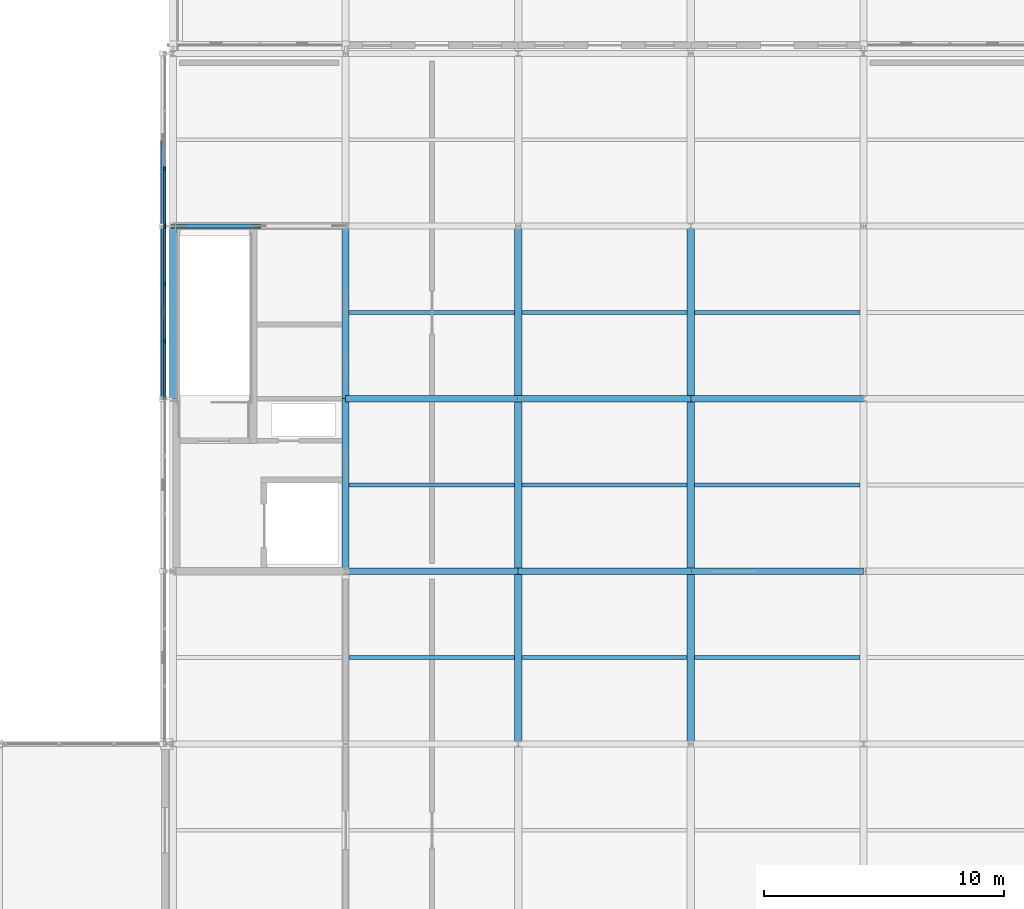
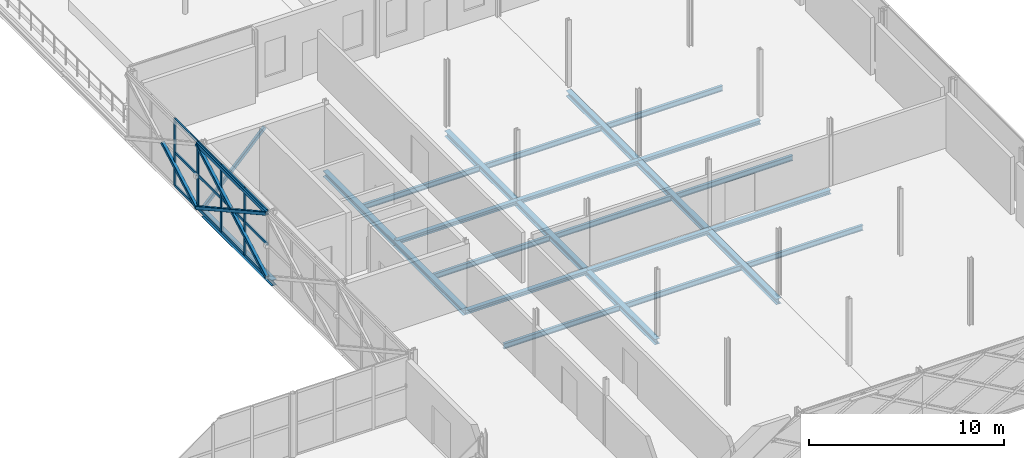
# One storey, part 61 of 126: 24 beams, 23 members, 2 elements without a shape of their own.
"""IFC4 building model written with IfcOpenShell, lengths in metres."""

from ifc_helpers import new_model, si_unit, direction, frame, origin, origin_2d, place, context, subcontext, project, spatial, rectangle, hollow_rectangle, i_section, extrude, material, material_profile, profile_set, type_object, element, aggregate, save


model = new_model("IFC4")

# Units and contexts
model_context = context("Model", 3, precision=1e-05, world=origin(), true_north=direction((0.0, 1.0)))
body_context = subcontext(model_context, "Body", "Model", "MODEL_VIEW")
ifc_project = project(units=[si_unit("LENGTHUNIT", "METRE"), si_unit("AREAUNIT", "SQUARE_METRE"), si_unit("VOLUMEUNIT", "CUBIC_METRE"), si_unit("PLANEANGLEUNIT", "RADIAN"), si_unit("MASSUNIT", "GRAM", prefix="KILO")], contexts=[model_context])

# Site, building, storey
site_placement = place(None, origin())
site = spatial("IfcSite", under=ifc_project, at=site_placement, CompositionType="ELEMENT")
building_placement = place(site_placement, origin())
building = spatial("IfcBuilding", under=site, at=building_placement, Name="Zlatovets Crest Museum", CompositionType="ELEMENT")
storey_placement = place(building_placement, frame((0.0, 0.0, 8.699951171875)))
storey = spatial("IfcBuildingStorey", under=building, at=storey_placement, Name="L02", CompositionType="ELEMENT", Elevation=8.699951171875)

# Beams
ifc_material_1 = material(Name="Structural steel S355J2", Category="steel")
ifc_material_profile_1 = material_profile(ifc_material_1, i_section(OverallWidth=0.300048828125, OverallDepth=0.35009765625, WebThickness=0.010009765625, FlangeThickness=0.017578125, FilletRadius=0.027099609375, at=origin_2d()), Name="HEA 360")
ifc_profile_set_1 = profile_set([ifc_material_profile_1], Name="Structural steel S355J2")
beam_type_1 = type_object("IfcBeamType", Name="Beam_B-03", PredefinedType="BEAM", material=ifc_profile_set_1)
for number, where, z_axis, x_axis, name in (
    (1, (129.60009765625, 43.199951171875, -0.39501953125), (0.0, 1.0, 0.0), (-1.0, 0.0, 0.0), "V5 L02 Grid Beam B-03"),
    (2, (136.800048828125, 36.0, -0.39501953125), (0.0, 1.0, 0.0), (-1.0, 0.0, 0.0), "V5 L02 Grid Beam B-03"),
    (3, (136.800048828125, 43.199951171875, -0.39501953125), (0.0, 1.0, 0.0), (-1.0, 0.0, 0.0), "V5 L02 Grid Beam B-03"),
    (4, (144.0, 28.800048828125, -0.39501953125), (0.0, 1.0, 0.0), (-1.0, 0.0, 0.0), "V5 L02 Grid Beam B-03"),
    (5, (144.0, 36.0, -0.39501953125), (0.0, 1.0, 0.0), (-1.0, 0.0, 0.0), "V5 L02 Grid Beam B-03"),
    (6, (144.0, 43.199951171875, -0.39501953125), (0.0, 1.0, 0.0), (-1.0, 0.0, 0.0), "V5 L02 Grid Beam B-03"),
    (7, (151.199951171875, 28.800048828125, -0.39501953125), (0.0, 1.0, 0.0), (-1.0, 0.0, 0.0), "V5 L02 Grid Beam B-03"),
    (8, (151.199951171875, 36.0, -0.39501953125), (0.0, 1.0, 0.0), (-1.0, 0.0, 0.0), "V5 L02 Grid Beam B-03"),
    (9, (151.199951171875, 43.199951171875, -0.39501953125), (0.0, 1.0, 0.0), (-1.0, 0.0, 0.0), "V5 L02 Grid Beam B-03"),
):
    element("IfcBeam", number, at=place(storey_placement, frame(where, z_axis=z_axis, x_axis=x_axis)), inside=storey, type_object=beam_type_1, Name=name, PredefinedType="BEAM", context=body_context, shape_type="SweptSolid", body=[
        extrude(i_section(OverallWidth=0.300048828125, OverallDepth=0.35009765625, WebThickness=0.010009765625, FlangeThickness=0.017578125, FilletRadius=0.027099609375, at=origin_2d()), origin(), (0.0, 0.0, 1.0), 7.199951171875),
    ])
ifc_material_profile_2 = material_profile(ifc_material_1, i_section(OverallWidth=0.260009765625, OverallDepth=0.25, WebThickness=0.007568359375, FlangeThickness=0.012451171875, FilletRadius=0.02392578125, at=origin_2d()), Name="HEA 260")
ifc_profile_set_2 = profile_set([ifc_material_profile_2], Name="Structural steel S355J2")
beam_type_2 = type_object("IfcBeamType", Name="Beam_B-13", PredefinedType="BEAM", material=ifc_profile_set_2)
for number, where, z_axis, x_axis, name in (
    (10, (136.800048828125, 36.0, -0.344970703125), (1.0, 0.0, 0.0), (0.0, 1.0, 0.0), "V5 L02 Primary Girder B-13"),
    (11, (144.0, 36.0, -0.344970703125), (1.0, 0.0, 0.0), (0.0, 1.0, 0.0), "V5 L02 Primary Girder B-13"),
    (12, (151.199951171875, 36.0, -0.344970703125), (1.0, 0.0, 0.0), (0.0, 1.0, 0.0), "V5 L02 Primary Girder B-13"),
    (13, (136.800048828125, 43.199951171875, -0.344970703125), (1.0, 0.0, 0.0), (0.0, 1.0, 0.0), "V5 L02 Primary Girder B-13"),
    (14, (144.0, 43.199951171875, -0.344970703125), (1.0, 0.0, 0.0), (0.0, 1.0, 0.0), "V5 L02 Primary Girder B-13"),
    (15, (151.199951171875, 43.199951171875, -0.344970703125), (1.0, 0.0, 0.0), (0.0, 1.0, 0.0), "V5 L02 Primary Girder B-13"),
):
    element("IfcBeam", number, at=place(storey_placement, frame(where, z_axis=z_axis, x_axis=x_axis)), inside=storey, type_object=beam_type_2, Name=name, PredefinedType="BEAM", context=body_context, shape_type="SweptSolid", body=[
        extrude(i_section(OverallWidth=0.260009765625, OverallDepth=0.25, WebThickness=0.007568359375, FlangeThickness=0.012451171875, FilletRadius=0.02392578125, at=origin_2d()), origin(), (0.0, 0.0, 1.0), 7.199951171875),
    ])
ifc_material_profile_3 = material_profile(ifc_material_1, i_section(OverallWidth=0.159912109375, OverallDepth=0.330078125, WebThickness=0.007568359375, FlangeThickness=0.011474609375, FilletRadius=0.01806640625, at=origin_2d()), Name="IPE 330")
ifc_profile_set_3 = profile_set([ifc_material_profile_3], Name="Structural steel S355J2")
beam_type_3 = type_object("IfcBeamType", Name="Beam_J-09", PredefinedType="JOIST", material=ifc_profile_set_3)
for number, where, z_axis, x_axis, name in (
    (16, (136.949951171875, 32.39990234375, -0.385009765625), (1.0, 0.0, 0.0), (0.0, 1.0, 0.0), "V5 L02 Composite Joist J-09"),
    (17, (136.949951171875, 39.60009765625, -0.385009765625), (1.0, 0.0, 0.0), (0.0, 1.0, 0.0), "V5 L02 Composite Joist J-09"),
    (18, (136.949951171875, 46.800048828125, -0.385009765625), (1.0, 0.0, 0.0), (0.0, 1.0, 0.0), "V5 L02 Composite Joist J-09"),
    (19, (144.14990234375, 32.39990234375, -0.385009765625), (1.0, 0.0, 0.0), (0.0, 1.0, 0.0), "V5 L02 Composite Joist J-09"),
    (20, (144.14990234375, 39.60009765625, -0.385009765625), (1.0, 0.0, 0.0), (0.0, 1.0, 0.0), "V5 L02 Composite Joist J-09"),
    (21, (144.14990234375, 46.800048828125, -0.385009765625), (1.0, 0.0, 0.0), (0.0, 1.0, 0.0), "V5 L02 Composite Joist J-09"),
):
    element("IfcBeam", number, at=place(storey_placement, frame(where, z_axis=z_axis, x_axis=x_axis)), inside=storey, type_object=beam_type_3, Name=name, PredefinedType="JOIST", context=body_context, shape_type="SweptSolid", body=[
        extrude(i_section(OverallWidth=0.159912109375, OverallDepth=0.330078125, WebThickness=0.007568359375, FlangeThickness=0.011474609375, FilletRadius=0.01806640625, at=origin_2d()), origin(), (0.0, 0.0, 1.0), 6.900146484375),
    ])
for number, where, z_axis, x_axis, name in (
    (22, (151.35009765625, 32.39990234375, -0.385009765625), (1.0, 0.0, 0.0), (0.0, 1.0, 0.0), "V5 L02 Composite Joist J-09"),
    (23, (151.35009765625, 39.60009765625, -0.385009765625), (1.0, 0.0, 0.0), (0.0, 1.0, 0.0), "V5 L02 Composite Joist J-09"),
    (24, (151.35009765625, 46.800048828125, -0.385009765625), (1.0, 0.0, 0.0), (0.0, 1.0, 0.0), "V5 L02 Composite Joist J-09"),
):
    element("IfcBeam", number, at=place(storey_placement, frame(where, z_axis=z_axis, x_axis=x_axis)), inside=storey, type_object=beam_type_3, Name=name, PredefinedType="JOIST", context=body_context, shape_type="SweptSolid", body=[
        extrude(i_section(OverallWidth=0.159912109375, OverallDepth=0.330078125, WebThickness=0.007568359375, FlangeThickness=0.011474609375, FilletRadius=0.01806640625, at=origin_2d()), origin(), (0.0, 0.0, 1.0), 6.89990234375),
    ])

# Curtain wall, members
ifc_material_2 = material(Name="Bronze-anodised aluminium and low-E triple glass", Category="aluminium")
curtain_wall_type_1 = type_object("IfcCurtainWallType", Name="CW_CW-V5-L02-M0", PredefinedType="NOTDEFINED", material=ifc_material_2)
curtain_wall_1_placement = place(storey_placement, origin())
curtain_wall_1 = element("IfcCurtainWall", 25, at=curtain_wall_1_placement, inside=storey, type_object=curtain_wall_type_1, Name="V5 L02 Secession Foyer Clear Curtain Wall", PredefinedType="NOTDEFINED")
ifc_material_3 = material(Name="Bronze-anodised aluminium EN AW-6060", Category="aluminium")
ifc_material_profile_4 = material_profile(ifc_material_3, rectangle(XDim=0.080078125, YDim=0.159912109375, at=origin_2d()), Name="ALU 80x160")
ifc_profile_set_4 = profile_set([ifc_material_profile_4], Name="Bronze-anodised aluminium EN AW-6060")
member_type_1 = type_object("IfcMemberType", Name="CWMull_M1", PredefinedType="MULLION", material=ifc_profile_set_4)
member_1_placement = place(storey_placement, frame((129.260009765625, 52.800048828125, 0.0), z_axis=(0.0, 0.0, 1.0), x_axis=(1.0, 0.0, 0.0)))
member_1 = element("IfcMember", 26, at=member_1_placement, type_object=member_type_1, Name="CW-V5-L02-M0 mullion 3", PredefinedType="MULLION", context=body_context, shape_type="SweptSolid", body=[
    extrude(rectangle(XDim=0.080078125, YDim=0.159912109375, at=origin_2d()), origin(), (0.0, 0.0, 1.0), 4.199951171875),
])
member_2_placement = place(storey_placement, frame((129.260009765625, 50.429931640625, 0.0), z_axis=(0.0, 0.0, 1.0), x_axis=(1.0, 0.0, 0.0)))
member_2 = element("IfcMember", 27, at=member_2_placement, type_object=member_type_1, Name="CW-V5-L02-M0 mullion 4", PredefinedType="MULLION", context=body_context, shape_type="SweptSolid", body=[
    extrude(rectangle(XDim=0.080078125, YDim=0.159912109375, at=origin_2d()), origin(), (0.0, 0.0, 1.0), 4.199951171875),
])

curtain_wall_type_2 = type_object("IfcCurtainWallType", Name="CW_CW-V5-L02-M1", PredefinedType="NOTDEFINED", material=ifc_material_2)
curtain_wall_2_placement = place(storey_placement, origin())
curtain_wall_2 = element("IfcCurtainWall", 28, at=curtain_wall_2_placement, inside=storey, type_object=curtain_wall_type_2, Name="V5 L02 Expressed Core Glazed Facade", PredefinedType="NOTDEFINED")
member_3_placement = place(storey_placement, frame((129.260009765625, 50.3701171875, 0.0), z_axis=(0.0, 0.0, 1.0), x_axis=(1.0, 0.0, 0.0)))
member_3 = element("IfcMember", 29, at=member_3_placement, type_object=member_type_1, Name="CW-V5-L02-M1 mullion 1", PredefinedType="MULLION", context=body_context, shape_type="SweptSolid", body=[
    extrude(rectangle(XDim=0.080078125, YDim=0.159912109375, at=origin_2d()), origin(), (0.0, 0.0, 1.0), 4.199951171875),
])
member_4_placement = place(storey_placement, frame((129.260009765625, 48.0, 0.0), z_axis=(0.0, 0.0, 1.0), x_axis=(1.0, 0.0, 0.0)))
member_4 = element("IfcMember", 30, at=member_4_placement, type_object=member_type_1, Name="CW-V5-L02-M1 mullion 2", PredefinedType="MULLION", context=body_context, shape_type="SweptSolid", body=[
    extrude(rectangle(XDim=0.080078125, YDim=0.159912109375, at=origin_2d()), origin(), (0.0, 0.0, 1.0), 4.199951171875),
])
member_5_placement = place(storey_placement, frame((129.260009765625, 45.60009765625, 0.0), z_axis=(0.0, 0.0, 1.0), x_axis=(1.0, 0.0, 0.0)))
member_5 = element("IfcMember", 31, at=member_5_placement, type_object=member_type_1, Name="CW-V5-L02-M1 mullion 3", PredefinedType="MULLION", context=body_context, shape_type="SweptSolid", body=[
    extrude(rectangle(XDim=0.080078125, YDim=0.159912109375, at=origin_2d()), origin(), (0.0, 0.0, 1.0), 4.199951171875),
])

# Member
ifc_material_profile_5 = material_profile(ifc_material_3, rectangle(XDim=0.080078125, YDim=0.159912109375, at=origin_2d()), Name="ALU 80x160")
ifc_profile_set_5 = profile_set([ifc_material_profile_5], Name="Bronze-anodised aluminium EN AW-6060")
member_type_2 = type_object("IfcMemberType", Name="CWTrans_T1", PredefinedType="USERDEFINED", material=ifc_profile_set_5)
member_6_placement = place(storey_placement, frame((129.260009765625, 52.77001953125, 0.030029296875), z_axis=(0.0, -1.0, 0.0), x_axis=(1.0, 0.0, 0.0)))
member_6 = element("IfcMember", 32, at=member_6_placement, type_object=member_type_2, Name="CW-V5-L02-M0 transom 3.1", ObjectType="TRANSOM", PredefinedType="USERDEFINED", context=body_context, shape_type="SweptSolid", body=[
    extrude(rectangle(XDim=0.080078125, YDim=0.159912109375, at=origin_2d()), origin(), (0.0, 0.0, 1.0), 2.31005859375),
])

member_7_placement = place(storey_placement, frame((129.260009765625, 52.77001953125, 2.10009765625), z_axis=(0.0, -1.0, 0.0), x_axis=(1.0, 0.0, 0.0)))
member_7 = element("IfcMember", 33, at=member_7_placement, type_object=member_type_2, Name="CW-V5-L02-M0 transom 3.2", ObjectType="TRANSOM", PredefinedType="USERDEFINED", context=body_context, shape_type="SweptSolid", body=[
    extrude(rectangle(XDim=0.080078125, YDim=0.159912109375, at=origin_2d()), origin(), (0.0, 0.0, 1.0), 2.31005859375),
])

member_8_placement = place(storey_placement, frame((129.260009765625, 52.77001953125, 4.170166015625), z_axis=(0.0, -1.0, 0.0), x_axis=(1.0, 0.0, 0.0)))
member_8 = element("IfcMember", 34, at=member_8_placement, type_object=member_type_2, Name="CW-V5-L02-M0 transom 3.3", ObjectType="TRANSOM", PredefinedType="USERDEFINED", context=body_context, shape_type="SweptSolid", body=[
    extrude(rectangle(XDim=0.080078125, YDim=0.159912109375, at=origin_2d()), origin(), (0.0, 0.0, 1.0), 2.31005859375),
])

aggregate(curtain_wall_1, [member_1, member_2, member_6, member_7, member_8])

member_9_placement = place(storey_placement, frame((129.260009765625, 50.340087890625, 0.030029296875), z_axis=(0.0, -1.0, 0.0), x_axis=(1.0, 0.0, 0.0)))
member_9 = element("IfcMember", 35, at=member_9_placement, type_object=member_type_2, Name="CW-V5-L02-M1 transom 1.1", ObjectType="TRANSOM", PredefinedType="USERDEFINED", context=body_context, shape_type="SweptSolid", body=[
    extrude(rectangle(XDim=0.080078125, YDim=0.159912109375, at=origin_2d()), origin(), (0.0, 0.0, 1.0), 2.31005859375),
])

member_10_placement = place(storey_placement, frame((129.260009765625, 50.340087890625, 2.10009765625), z_axis=(0.0, -1.0, 0.0), x_axis=(1.0, 0.0, 0.0)))
member_10 = element("IfcMember", 36, at=member_10_placement, type_object=member_type_2, Name="CW-V5-L02-M1 transom 1.2", ObjectType="TRANSOM", PredefinedType="USERDEFINED", context=body_context, shape_type="SweptSolid", body=[
    extrude(rectangle(XDim=0.080078125, YDim=0.159912109375, at=origin_2d()), origin(), (0.0, 0.0, 1.0), 2.31005859375),
])

member_11_placement = place(storey_placement, frame((129.260009765625, 50.340087890625, 4.170166015625), z_axis=(0.0, -1.0, 0.0), x_axis=(1.0, 0.0, 0.0)))
member_11 = element("IfcMember", 37, at=member_11_placement, type_object=member_type_2, Name="CW-V5-L02-M1 transom 1.3", ObjectType="TRANSOM", PredefinedType="USERDEFINED", context=body_context, shape_type="SweptSolid", body=[
    extrude(rectangle(XDim=0.080078125, YDim=0.159912109375, at=origin_2d()), origin(), (0.0, 0.0, 1.0), 2.31005859375),
])

member_12_placement = place(storey_placement, frame((129.260009765625, 47.969970703125, 0.030029296875), z_axis=(0.0, -1.0, 0.0), x_axis=(1.0, 0.0, 0.0)))
member_12 = element("IfcMember", 38, at=member_12_placement, type_object=member_type_2, Name="CW-V5-L02-M1 transom 2.1", ObjectType="TRANSOM", PredefinedType="USERDEFINED", context=body_context, shape_type="SweptSolid", body=[
    extrude(rectangle(XDim=0.080078125, YDim=0.159912109375, at=origin_2d()), origin(), (0.0, 0.0, 1.0), 2.340087890625),
])

member_13_placement = place(storey_placement, frame((129.260009765625, 47.969970703125, 2.10009765625), z_axis=(0.0, -1.0, 0.0), x_axis=(1.0, 0.0, 0.0)))
member_13 = element("IfcMember", 39, at=member_13_placement, type_object=member_type_2, Name="CW-V5-L02-M1 transom 2.2", ObjectType="TRANSOM", PredefinedType="USERDEFINED", context=body_context, shape_type="SweptSolid", body=[
    extrude(rectangle(XDim=0.080078125, YDim=0.159912109375, at=origin_2d()), origin(), (0.0, 0.0, 1.0), 2.340087890625),
])

member_14_placement = place(storey_placement, frame((129.260009765625, 47.969970703125, 4.170166015625), z_axis=(0.0, -1.0, 0.0), x_axis=(1.0, 0.0, 0.0)))
member_14 = element("IfcMember", 40, at=member_14_placement, type_object=member_type_2, Name="CW-V5-L02-M1 transom 2.3", ObjectType="TRANSOM", PredefinedType="USERDEFINED", context=body_context, shape_type="SweptSolid", body=[
    extrude(rectangle(XDim=0.080078125, YDim=0.159912109375, at=origin_2d()), origin(), (0.0, 0.0, 1.0), 2.340087890625),
])

member_15_placement = place(storey_placement, frame((129.260009765625, 45.570068359375, 0.030029296875), z_axis=(0.0, -1.0, 0.0), x_axis=(1.0, 0.0, 0.0)))
member_15 = element("IfcMember", 41, at=member_15_placement, type_object=member_type_2, Name="CW-V5-L02-M1 transom 3.1", ObjectType="TRANSOM", PredefinedType="USERDEFINED", context=body_context, shape_type="SweptSolid", body=[
    extrude(rectangle(XDim=0.080078125, YDim=0.159912109375, at=origin_2d()), origin(), (0.0, 0.0, 1.0), 2.31005859375),
])

member_16_placement = place(storey_placement, frame((129.260009765625, 45.570068359375, 2.10009765625), z_axis=(0.0, -1.0, 0.0), x_axis=(1.0, 0.0, 0.0)))
member_16 = element("IfcMember", 42, at=member_16_placement, type_object=member_type_2, Name="CW-V5-L02-M1 transom 3.2", ObjectType="TRANSOM", PredefinedType="USERDEFINED", context=body_context, shape_type="SweptSolid", body=[
    extrude(rectangle(XDim=0.080078125, YDim=0.159912109375, at=origin_2d()), origin(), (0.0, 0.0, 1.0), 2.31005859375),
])

member_17_placement = place(storey_placement, frame((129.260009765625, 45.570068359375, 4.170166015625), z_axis=(0.0, -1.0, 0.0), x_axis=(1.0, 0.0, 0.0)))
member_17 = element("IfcMember", 43, at=member_17_placement, type_object=member_type_2, Name="CW-V5-L02-M1 transom 3.3", ObjectType="TRANSOM", PredefinedType="USERDEFINED", context=body_context, shape_type="SweptSolid", body=[
    extrude(rectangle(XDim=0.080078125, YDim=0.159912109375, at=origin_2d()), origin(), (0.0, 0.0, 1.0), 2.31005859375),
])

aggregate(curtain_wall_2, [member_3, member_4, member_5, member_9, member_10, member_11, member_12, member_13, member_14, member_15, member_16, member_17])

# Members
ifc_material_4 = material(Name="Weathering bronze-steel S355J2W", Category="steel")
ifc_material_profile_6 = material_profile(ifc_material_4, hollow_rectangle(XDim=0.199951171875, YDim=0.199951171875, WallThickness=0.012451171875, InnerFilletRadius=0.012451171875, OuterFilletRadius=0.02490234375, at=origin_2d()), Name="SHS 200x200x12.5")
ifc_profile_set_6 = profile_set([ifc_material_profile_6], Name="Weathering bronze-steel S355J2W")
member_type_3 = type_object("IfcMemberType", Name="Lattice_XL-02", PredefinedType="BRACE", material=ifc_profile_set_6)
member_18_placement = place(storey_placement, frame((129.179931640625, 53.9169921875, 2.053955078125), z_axis=(0.0, -0.874165862873, -0.485627474703), x_axis=(1.0, 0.0, 0.0)))
element("IfcMember", 44, at=member_18_placement, inside=storey, type_object=member_type_3, Name="Split Crossing Bronze Lattice Diagonal Lower", PredefinedType="BRACE", context=body_context, shape_type="SweptSolid", body=[
    extrude(hollow_rectangle(XDim=0.199951171875, YDim=0.199951171875, WallThickness=0.012451171875, InnerFilletRadius=0.012451171875, OuterFilletRadius=0.02490234375, at=origin_2d()), origin(), (0.0, 0.0, 1.0), 4.0234375),
])
member_19_placement = place(storey_placement, frame((129.179931640625, 50.39990234375, 0.10009765625), z_axis=(0.0, -0.874155877937, 0.485645447903), x_axis=(1.0, 0.0, 0.0)))
element("IfcMember", 45, at=member_19_placement, inside=storey, type_object=member_type_3, Name="Continuous Bronze Lattice Diagonal", PredefinedType="BRACE", context=body_context, shape_type="SweptSolid", body=[
    extrude(hollow_rectangle(XDim=0.199951171875, YDim=0.199951171875, WallThickness=0.012451171875, InnerFilletRadius=0.012451171875, OuterFilletRadius=0.02490234375, at=origin_2d()), origin(), (0.0, 0.0, 1.0), 8.236572265625),
])
member_20_placement = place(storey_placement, frame((129.179931640625, 50.39990234375, 4.10009765625), z_axis=(0.0, -0.874151551165, -0.485653235958), x_axis=(1.0, 0.0, 0.0)))
element("IfcMember", 46, at=member_20_placement, inside=storey, type_object=member_type_3, Name="Split Crossing Bronze Lattice Diagonal Upper", PredefinedType="BRACE", context=body_context, shape_type="SweptSolid", body=[
    extrude(hollow_rectangle(XDim=0.199951171875, YDim=0.199951171875, WallThickness=0.012451171875, InnerFilletRadius=0.012451171875, OuterFilletRadius=0.02490234375, at=origin_2d()), origin(), (0.0, 0.0, 1.0), 4.023193359375),
])
member_21_placement = place(storey_placement, frame((129.179931640625, 46.717041015625, 2.053955078125), z_axis=(0.0, -0.874165862873, -0.485627474703), x_axis=(1.0, 0.0, 0.0)))
element("IfcMember", 47, at=member_21_placement, inside=storey, type_object=member_type_3, Name="Split Crossing Bronze Lattice Diagonal Lower", PredefinedType="BRACE", context=body_context, shape_type="SweptSolid", body=[
    extrude(hollow_rectangle(XDim=0.199951171875, YDim=0.199951171875, WallThickness=0.012451171875, InnerFilletRadius=0.012451171875, OuterFilletRadius=0.02490234375, at=origin_2d()), origin(), (0.0, 0.0, 1.0), 4.0234375),
])
ifc_material_profile_7 = material_profile(ifc_material_4, hollow_rectangle(XDim=0.1201171875, YDim=0.239990234375, WallThickness=0.010009765625, InnerFilletRadius=0.010009765625, OuterFilletRadius=0.02001953125, at=origin_2d()), Name="RHS 120x240x10.0")
ifc_profile_set_7 = profile_set([ifc_material_profile_7], Name="Weathering bronze-steel S355J2W")
member_type_4 = type_object("IfcMemberType", Name="Lattice_XL-04", PredefinedType="CHORD", material=ifc_profile_set_7)
member_22_placement = place(storey_placement, frame((129.179931640625, 50.39990234375, 4.10009765625), z_axis=(0.0, -1.0, 0.0), x_axis=(1.0, 0.0, 0.0)))
element("IfcMember", 48, at=member_22_placement, inside=storey, type_object=member_type_4, Name="Art Nouveau Woven Cage Collector Ring Chord", PredefinedType="CHORD", context=body_context, shape_type="SweptSolid", body=[
    extrude(hollow_rectangle(XDim=0.1201171875, YDim=0.239990234375, WallThickness=0.010009765625, InnerFilletRadius=0.010009765625, OuterFilletRadius=0.02001953125, at=origin_2d()), origin(), (0.0, 0.0, 1.0), 7.199951171875),
])
ifc_material_profile_8 = material_profile(ifc_material_1, hollow_rectangle(XDim=0.179931640625, YDim=0.179931640625, WallThickness=0.010009765625, InnerFilletRadius=0.010009765625, OuterFilletRadius=0.02001953125, at=origin_2d()), Name="SHS 180x180x10.0")
ifc_profile_set_8 = profile_set([ifc_material_profile_8], Name="Structural steel S355J2")
member_type_5 = type_object("IfcMemberType", Name="Member_BR-02", PredefinedType="BRACE", material=ifc_profile_set_8)
member_23_placement = place(storey_placement, frame((129.60009765625, 50.39990234375, 0.0), z_axis=(0.692517163318, 0.0, 0.721401399021), x_axis=(0.0, 1.0, 0.0)))
element("IfcMember", 49, at=member_23_placement, inside=storey, type_object=member_type_5, Name="V5 L02 Concentric Seismic Brace", PredefinedType="BRACE", context=body_context, shape_type="SweptSolid", body=[
    extrude(hollow_rectangle(XDim=0.179931640625, YDim=0.179931640625, WallThickness=0.010009765625, InnerFilletRadius=0.010009765625, OuterFilletRadius=0.02001953125, at=origin_2d()), origin(), (0.0, 0.0, 1.0), 5.1982421875),
])

save(model, "model.ifc")
